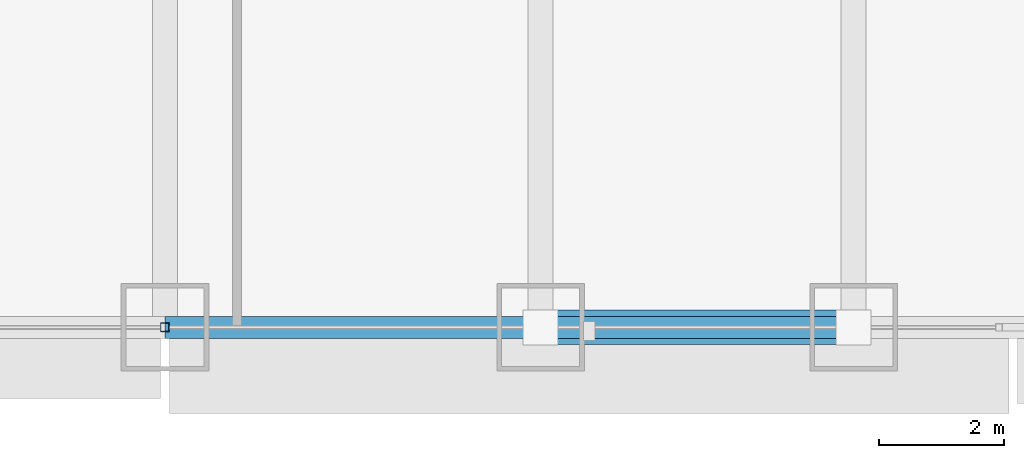
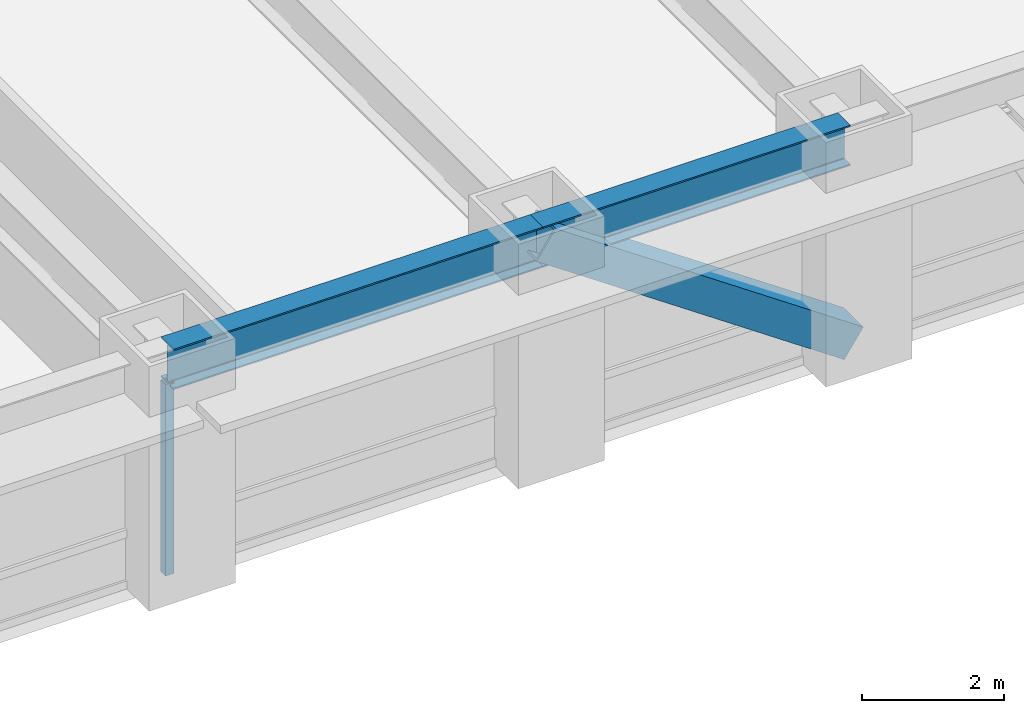
# One storey, part 4 of 32: 2 beams, 2 members, 1 element without a shape of its own.
"""IFC4 building model written with IfcOpenShell, lengths in metres."""

from ifc_helpers import new_model, si_unit, direction, frame, origin, origin_2d, place, context, subcontext, project, spatial, hollow_rectangle, i_section, extrude, source, transform, mapped, material, material_profile, profile_set, type_object, element, aggregate, save


model = new_model("IFC4")

# Units and contexts
model_context = context("Model", 3, precision=1e-05, world=origin(), true_north=direction((0.0, 1.0)))
body_context = subcontext(model_context, "Body", "Model", "MODEL_VIEW")
ifc_project = project(units=[si_unit("LENGTHUNIT", "METRE"), si_unit("AREAUNIT", "SQUARE_METRE"), si_unit("VOLUMEUNIT", "CUBIC_METRE"), si_unit("PLANEANGLEUNIT", "RADIAN"), si_unit("MASSUNIT", "GRAM", prefix="KILO")], contexts=[model_context])

# Site, building, storey
site_placement = place(None, origin())
site = spatial("IfcSite", under=ifc_project, at=site_placement, CompositionType="ELEMENT")
building_placement = place(site_placement, origin())
building = spatial("IfcBuilding", under=site, at=building_placement, Name="Khorayat Bourse Tower", CompositionType="ELEMENT")
storey_placement = place(building_placement, frame((0.0, 0.0, 78.800048828125)))
storey = spatial("IfcBuildingStorey", under=building, at=storey_placement, Name="L17", CompositionType="ELEMENT", Elevation=78.800048828125)

# Beams
ifc_material_1 = material(Name="Steel ASTM A992 Grade 50", Category="steel")
ifc_material_profile_1 = material_profile(ifc_material_1, i_section(OverallWidth=0.35498046875, OverallDepth=0.695068359375, WebThickness=0.015380859375, FlangeThickness=0.02490234375, FilletRadius=0.01806640625, at=origin_2d()), Name="W690X217")
ifc_profile_set_1 = profile_set([ifc_material_profile_1], Name="Steel ASTM A992 Grade 50")
beam_type = type_object("IfcBeamType", Name="BM-SPAN-690", PredefinedType="SPANDREL", material=ifc_profile_set_1)
shared_shape_1 = source(origin(), body_context, "Body", "SweptSolid", [
    extrude(i_section(OverallWidth=0.35498046875, OverallDepth=0.695068359375, WebThickness=0.015380859375, FlangeThickness=0.02490234375, FilletRadius=0.01806640625, at=origin_2d()), origin(), (0.0, 0.0, 1.0), 5.0),
])
beam_1_placement = place(storey_placement, frame((6.0, -32.0, 3.592529296875), z_axis=(1.0, 0.0, 0.0), x_axis=(0.0, 1.0, 0.0)))
element("IfcBeam", 1, at=beam_1_placement, inside=storey, type_object=beam_type, Name="L17 BM-SPAN-690 BM-L17-SPN-029", PredefinedType="SPANDREL", context=body_context, shape_type="MappedRepresentation", body=[
    mapped(shared_shape_1, transform((0.0, 0.0, 0.0), scale=1.0)),
])
shared_shape_2 = source(origin(), body_context, "Body", "SweptSolid", [
    extrude(i_section(OverallWidth=0.35498046875, OverallDepth=0.695068359375, WebThickness=0.015380859375, FlangeThickness=0.02490234375, FilletRadius=0.01806640625, at=origin_2d()), origin(), (0.0, 0.0, 1.0), 6.0),
])
beam_2_placement = place(storey_placement, frame((0.0, -32.0, 3.592529296875), z_axis=(1.0, 0.0, 0.0), x_axis=(0.0, 1.0, 0.0)))
element("IfcBeam", 2, at=beam_2_placement, inside=storey, type_object=beam_type, Name="L17 BM-SPAN-690 BM-L17-SPN-028", PredefinedType="SPANDREL", context=body_context, shape_type="MappedRepresentation", body=[
    mapped(shared_shape_2, transform((0.0, 0.0, 0.0), scale=1.0)),
])

# Member
ifc_material_2 = material(Name="Steel EN 10025-4 S460M", Category="steel")
ifc_material_profile_2 = material_profile(ifc_material_2, hollow_rectangle(XDim=0.550048828125, YDim=0.550048828125, WallThickness=0.031982421875, at=origin_2d()), Name="HSS 550x550x32")
ifc_profile_set_2 = profile_set([ifc_material_profile_2], Name="Steel EN 10025-4 S460M")
member_type_1 = type_object("IfcMemberType", Name="MBR-TUBE-550", PredefinedType="BRACE", material=ifc_profile_set_2)
shared_shape_3 = source(origin(), body_context, "Body", "SweptSolid", [
    extrude(hollow_rectangle(XDim=0.550048828125, YDim=0.550048828125, WallThickness=0.031982421875, at=origin_2d()), origin(), (0.0, 0.0, 1.0), 6.069091796875),
])
member_1_placement = place(storey_placement, frame((6.0, -32.0, 3.68994140625), z_axis=(0.823854080622, 0.0, -0.566801952928), x_axis=(0.0, 1.0, 0.0)))
element("IfcMember", 3, at=member_1_placement, inside=storey, type_object=member_type_1, Name="L17 Perimeter Tube Brace 02", PredefinedType="BRACE", context=body_context, shape_type="MappedRepresentation", body=[
    mapped(shared_shape_3, transform((0.0, 0.0, 0.0), scale=1.0)),
])

# Curtain wall, member
ifc_material_3 = material(Name="Aluminium EN AW-6063 T6", Category="aluminium")
curtain_wall_type = type_object("IfcCurtainWallType", Name="CW-SYS-02", PredefinedType="NOTDEFINED", material=ifc_material_3)
curtain_wall_placement = place(storey_placement, origin())
curtain_wall = element("IfcCurtainWall", 4, at=curtain_wall_placement, inside=storey, type_object=curtain_wall_type, Name="L17 Curtain Wall CW-L17-S1", PredefinedType="NOTDEFINED")
ifc_material_profile_3 = material_profile(ifc_material_3, hollow_rectangle(XDim=0.139892578125, YDim=0.139892578125, WallThickness=0.006103515625, at=origin_2d()), Name="ALU 140x140x6")
ifc_profile_set_3 = profile_set([ifc_material_profile_3], Name="Aluminium EN AW-6063 T6")
member_type_2 = type_object("IfcMemberType", Name="CWM-VERT-140", PredefinedType="MULLION", material=ifc_profile_set_3)
shared_shape_4 = source(origin(), body_context, "Body", "SweptSolid", [
    extrude(hollow_rectangle(XDim=0.139892578125, YDim=0.139892578125, WallThickness=0.006103515625, at=origin_2d()), origin(), (0.0, 0.0, 1.0), 3.2900390625),
])
member_2_placement = place(storey_placement, frame((0.0, -32.0, 0.0), z_axis=(0.0, 0.0, 1.0), x_axis=(0.0, 1.0, 0.0)))
member_2 = element("IfcMember", 5, at=member_2_placement, type_object=member_type_2, Name="CW-L17-S1 Vertical Mullion 2", PredefinedType="MULLION", context=body_context, shape_type="MappedRepresentation", body=[
    mapped(shared_shape_4, transform((0.0, 0.0, 0.0), scale=1.0)),
])
aggregate(curtain_wall, [member_2])

save(model, "model.ifc")
